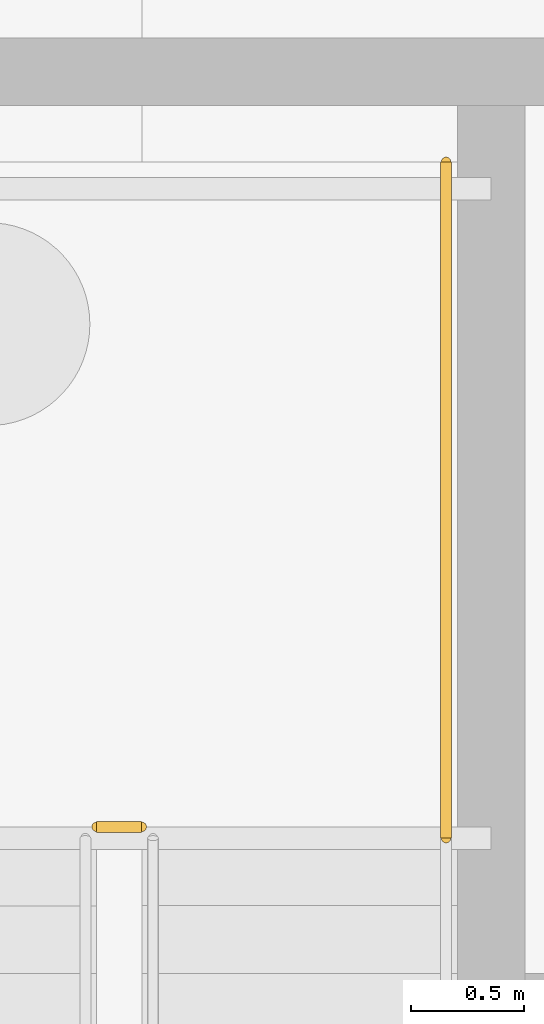
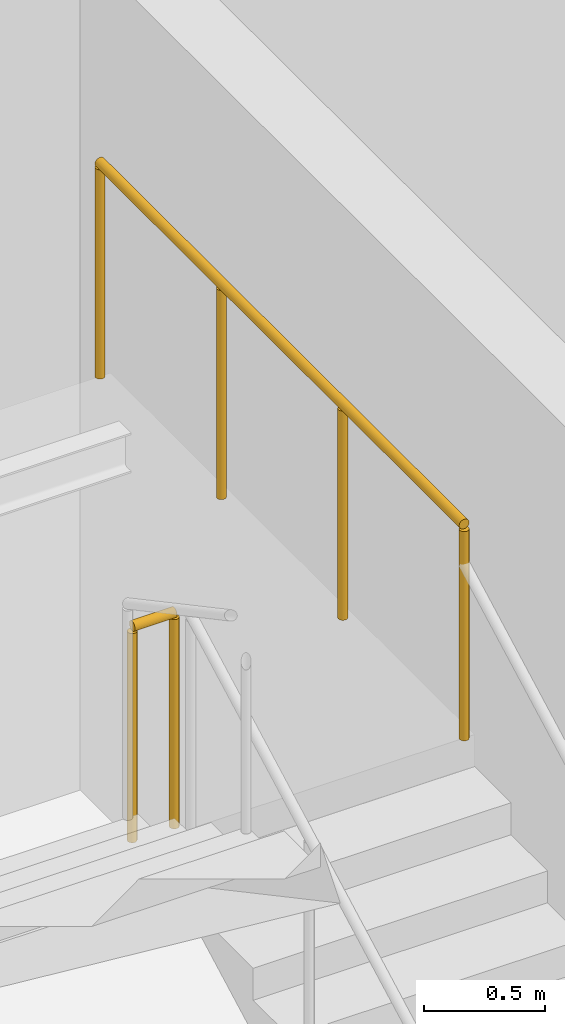
# One storey, part 50 of 51: 2 railings.
"""IFC4 building model written with IfcOpenShell, lengths in metres."""

from ifc_helpers import new_model, si_unit, direction, frame, origin, origin_2d, place, context, subcontext, project, spatial, circle, extrude, material, type_object, element, save


model = new_model("IFC4")

# Units and contexts
model_context = context("Model", 3, precision=1e-05, world=origin(), true_north=direction((0.0, 1.0)))
body_context = subcontext(model_context, "Body", "Model", "MODEL_VIEW")
ifc_project = project(units=[si_unit("LENGTHUNIT", "METRE"), si_unit("AREAUNIT", "SQUARE_METRE"), si_unit("VOLUMEUNIT", "CUBIC_METRE"), si_unit("PLANEANGLEUNIT", "RADIAN"), si_unit("MASSUNIT", "GRAM", prefix="KILO")], contexts=[model_context])

# Site, building, storey
site_placement = place(None, origin())
site = spatial("IfcSite", under=ifc_project, at=site_placement, CompositionType="ELEMENT")
building_placement = place(site_placement, origin())
building = spatial("IfcBuilding", under=site, at=building_placement, Name="Zlatovets Crest Museum", CompositionType="ELEMENT")
storey_placement = place(building_placement, frame((0.0, 0.0, -4.5)))
storey = spatial("IfcBuildingStorey", under=building, at=storey_placement, Name="B1", CompositionType="ELEMENT", Elevation=-4.5)

# Railings
ifc_material = material(Name="Painted steel safety guardrail", Category="steel")
railing_type = type_object("IfcRailingType", Name="StairGuard_SG01", PredefinedType="GUARDRAIL", material=ifc_material)
railing_1_placement = place(storey_placement, frame((131.39990234375, 90.25, 2.25)))
element("IfcRailing", 1, at=railing_1_placement, inside=storey, type_object=railing_type, Name="B1 ST8 stair guard 2", PredefinedType="GUARDRAIL", context=body_context, shape_type="SweptSolid", body=[
    extrude(circle(Radius=0.02392578125, at=origin_2d()), frame((0.0, 0.0, 1.076171875), z_axis=(-1.0, 0.0, 0.0), x_axis=(0.0, -1.0, 0.0)), (0.0, 0.0, 1.0), 0.199951171875),
    extrude(circle(Radius=0.02099609375, at=origin_2d()), origin(), (0.0, 0.0, 1.0), 1.052001953125),
    extrude(circle(Radius=0.02099609375, at=origin_2d()), frame((-0.199951171875, 0.0, 0.0)), (0.0, 0.0, 1.0), 1.052001953125),
])
railing_2_placement = place(storey_placement, frame((132.75, 90.199951171875, 2.25)))
element("IfcRailing", 2, at=railing_2_placement, inside=storey, type_object=railing_type, Name="B1 ST8 stair guard 3", PredefinedType="GUARDRAIL", context=body_context, shape_type="SweptSolid", body=[
    extrude(circle(Radius=0.02392578125, at=origin_2d()), frame((0.0, 0.0, 1.076171875), z_axis=(0.0, 1.0, 0.0), x_axis=(-1.0, 0.0, 0.0)), (0.0, 0.0, 1.0), 3.0),
    extrude(circle(Radius=0.02099609375, at=origin_2d()), origin(), (0.0, 0.0, 1.0), 1.052001953125),
    extrude(circle(Radius=0.02099609375, at=origin_2d()), frame((0.0, 1.0, 0.0)), (0.0, 0.0, 1.0), 1.052001953125),
    extrude(circle(Radius=0.02099609375, at=origin_2d()), frame((0.0, 2.0, 0.0)), (0.0, 0.0, 1.0), 1.052001953125),
    extrude(circle(Radius=0.02099609375, at=origin_2d()), frame((0.0, 3.0, 0.0)), (0.0, 0.0, 1.0), 1.052001953125),
])

save(model, "model.ifc")
